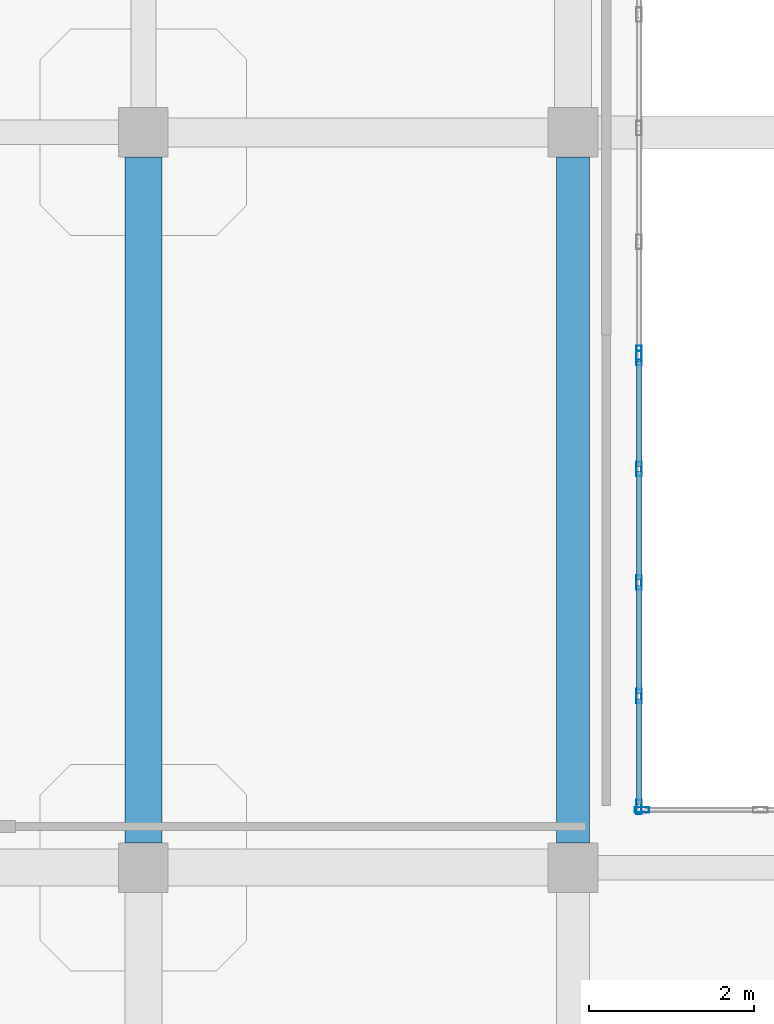
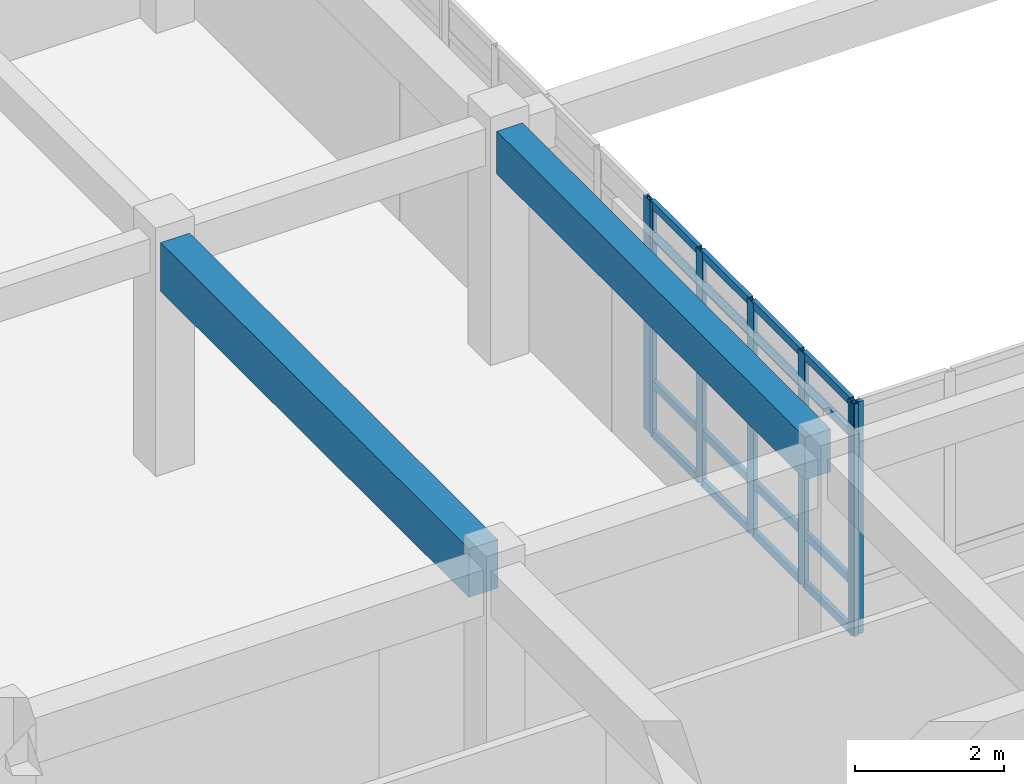
# One storey, part 93 of 146: 23 members, 2 beams, 3 elements without a shape of their own.
"""IFC4 building model written with IfcOpenShell, lengths in metres."""

from ifc_helpers import new_model, si_unit, direction, frame, origin, origin_2d, place, context, subcontext, project, spatial, rectangle, hollow_rectangle, extrude, material, layer, layer_set, material_profile, profile_set, type_object, element, aggregate, save


model = new_model("IFC4")

# Units and contexts
model_context = context("Model", 3, precision=1e-05, world=origin(), true_north=direction((0.0, 1.0)))
body_context = subcontext(model_context, "Body", "Model", "MODEL_VIEW")
ifc_project = project(units=[si_unit("LENGTHUNIT", "METRE"), si_unit("AREAUNIT", "SQUARE_METRE"), si_unit("VOLUMEUNIT", "CUBIC_METRE"), si_unit("PLANEANGLEUNIT", "RADIAN"), si_unit("MASSUNIT", "GRAM", prefix="KILO")], contexts=[model_context])

# Site, building, storey
site_placement = place(None, origin())
site = spatial("IfcSite", under=ifc_project, at=site_placement, CompositionType="ELEMENT")
building_placement = place(site_placement, origin())
building = spatial("IfcBuilding", under=site, at=building_placement, Name="Valcora Specialist Clinic", CompositionType="ELEMENT")
storey_placement = place(building_placement, frame((0.0, 0.0, 9.52001953125)))
storey = spatial("IfcBuildingStorey", under=building, at=storey_placement, Name="L02", CompositionType="ELEMENT", Elevation=9.52001953125)

# Beams
ifc_material_1 = material(Name="Concrete C40/50", Category="concrete")
ifc_material_profile_1 = material_profile(ifc_material_1, rectangle(XDim=0.39990234375, YDim=0.699951171875, at=origin_2d()), Name="RC-BM-400X700")
ifc_profile_set_1 = profile_set([ifc_material_profile_1], Name="Concrete C40/50")
beam_type_1 = type_object("IfcBeamType", Name="TY-BM-RC400X700", PredefinedType="BEAM", material=ifc_profile_set_1)
beam_1_placement = place(storey_placement, frame((111.199951171875, 81.60009765625, 3.469970703125), z_axis=(0.0, 1.0, 0.0), x_axis=(-1.0, 0.0, 0.0)))
element("IfcBeam", 1, at=beam_1_placement, inside=storey, type_object=beam_type_1, Name="Beam BM-L02-0758", PredefinedType="BEAM", context=body_context, shape_type="SweptSolid", body=[
    extrude(rectangle(XDim=0.39990234375, YDim=0.699951171875, at=origin_2d()), origin(), (0.0, 0.0, 1.0), 8.2998046875),
])
ifc_material_profile_2 = material_profile(ifc_material_1, rectangle(XDim=0.449951171875, YDim=0.800048828125, at=origin_2d()), Name="RC-BM-450X800")
ifc_profile_set_2 = profile_set([ifc_material_profile_2], Name="Concrete C40/50")
beam_type_2 = type_object("IfcBeamType", Name="TY-BM-RC450X800", PredefinedType="BEAM", material=ifc_profile_set_2)
beam_2_placement = place(storey_placement, frame((106.0, 81.60009765625, 3.419921875), z_axis=(0.0, 1.0, 0.0), x_axis=(-1.0, 0.0, 0.0)))
element("IfcBeam", 2, at=beam_2_placement, inside=storey, type_object=beam_type_2, Name="Beam BM-L02-0754", PredefinedType="BEAM", context=body_context, shape_type="SweptSolid", body=[
    extrude(rectangle(XDim=0.449951171875, YDim=0.800048828125, at=origin_2d()), origin(), (0.0, 0.0, 1.0), 8.2998046875),
])

# Curtain wall, member
ifc_material_2 = material(Name="Anodized Bronze Aluminium 6063-T6", Category="aluminium")
ifc_layer = layer(ifc_material_2, 0.175048828125)
ifc_layer_set = layer_set([ifc_layer], Name="Anodized Bronze Aluminium 6063-T6")
curtain_wall_type = type_object("IfcCurtainWallType", Name="TY-CW-CRT15", PredefinedType="NOTDEFINED", material=ifc_layer_set)
curtain_wall_1_placement = place(storey_placement, origin())
curtain_wall_1 = element("IfcCurtainWall", 3, at=curtain_wall_1_placement, inside=storey, type_object=curtain_wall_type, Name="Curtain wall CW-L02-105", PredefinedType="NOTDEFINED")
ifc_material_profile_3 = material_profile(ifc_material_2, hollow_rectangle(XDim=0.06494140625, YDim=0.175048828125, WallThickness=0.00390625, at=origin_2d()), Name="AL-MUL-65X175")
ifc_profile_set_3 = profile_set([ifc_material_profile_3], Name="Anodized Bronze Aluminium 6063-T6")
member_type_1 = type_object("IfcMemberType", Name="TY-CWM-65X175", PredefinedType="MULLION", material=ifc_profile_set_3)
member_1_placement = place(storey_placement, frame((112.032470703125, 82.0, 0.0), z_axis=(0.0, 0.0, 1.0), x_axis=(0.0, 1.0, 0.0)))
member_1 = element("IfcMember", 4, at=member_1_placement, type_object=member_type_1, Name="CW-CRT-15 mullion 1", PredefinedType="MULLION", context=body_context, shape_type="SweptSolid", body=[
    extrude(hollow_rectangle(XDim=0.06494140625, YDim=0.175048828125, WallThickness=0.00390625, at=origin_2d()), origin(), (0.0, 0.0, 1.0), 3.820068359375),
])
aggregate(curtain_wall_1, [member_1])

curtain_wall_2_placement = place(storey_placement, origin())
curtain_wall_2 = element("IfcCurtainWall", 5, at=curtain_wall_2_placement, inside=storey, type_object=curtain_wall_type, Name="Curtain wall CW-L02-115", PredefinedType="NOTDEFINED")
member_2_placement = place(storey_placement, frame((112.0, 87.532470703125, 0.0), z_axis=(0.0, 0.0, 1.0), x_axis=(1.0, 0.0, 0.0)))
member_2 = element("IfcMember", 6, at=member_2_placement, type_object=member_type_1, Name="CW-CRT-15 mullion 5", PredefinedType="MULLION", context=body_context, shape_type="SweptSolid", body=[
    extrude(hollow_rectangle(XDim=0.06494140625, YDim=0.175048828125, WallThickness=0.00390625, at=origin_2d()), origin(), (0.0, 0.0, 1.0), 3.820068359375),
])
aggregate(curtain_wall_2, [member_2])

# Curtain wall, members
curtain_wall_3_placement = place(storey_placement, origin())
curtain_wall_3 = element("IfcCurtainWall", 7, at=curtain_wall_3_placement, inside=storey, type_object=curtain_wall_type, Name="Curtain wall CW-L02-116", PredefinedType="NOTDEFINED")
member_3_placement = place(storey_placement, frame((112.0, 87.467529296875, 0.0), z_axis=(0.0, 0.0, 1.0), x_axis=(1.0, 0.0, 0.0)))
member_3 = element("IfcMember", 8, at=member_3_placement, type_object=member_type_1, Name="CW-CRT-15 mullion 1", PredefinedType="MULLION", context=body_context, shape_type="SweptSolid", body=[
    extrude(hollow_rectangle(XDim=0.06494140625, YDim=0.175048828125, WallThickness=0.00390625, at=origin_2d()), origin(), (0.0, 0.0, 1.0), 3.820068359375),
])
member_4_placement = place(storey_placement, frame((112.0, 86.125, 0.0), z_axis=(0.0, 0.0, 1.0), x_axis=(1.0, 0.0, 0.0)))
member_4 = element("IfcMember", 9, at=member_4_placement, type_object=member_type_1, Name="CW-CRT-15 mullion 2", PredefinedType="MULLION", context=body_context, shape_type="SweptSolid", body=[
    extrude(hollow_rectangle(XDim=0.06494140625, YDim=0.175048828125, WallThickness=0.00390625, at=origin_2d()), origin(), (0.0, 0.0, 1.0), 3.820068359375),
])
member_5_placement = place(storey_placement, frame((112.0, 84.75, 0.0), z_axis=(0.0, 0.0, 1.0), x_axis=(1.0, 0.0, 0.0)))
member_5 = element("IfcMember", 10, at=member_5_placement, type_object=member_type_1, Name="CW-CRT-15 mullion 3", PredefinedType="MULLION", context=body_context, shape_type="SweptSolid", body=[
    extrude(hollow_rectangle(XDim=0.06494140625, YDim=0.175048828125, WallThickness=0.00390625, at=origin_2d()), origin(), (0.0, 0.0, 1.0), 3.820068359375),
])
member_6_placement = place(storey_placement, frame((112.0, 83.375, 0.0), z_axis=(0.0, 0.0, 1.0), x_axis=(1.0, 0.0, 0.0)))
member_6 = element("IfcMember", 11, at=member_6_placement, type_object=member_type_1, Name="CW-CRT-15 mullion 4", PredefinedType="MULLION", context=body_context, shape_type="SweptSolid", body=[
    extrude(hollow_rectangle(XDim=0.06494140625, YDim=0.175048828125, WallThickness=0.00390625, at=origin_2d()), origin(), (0.0, 0.0, 1.0), 3.820068359375),
])
member_7_placement = place(storey_placement, frame((112.0, 82.032470703125, 0.0), z_axis=(0.0, 0.0, 1.0), x_axis=(1.0, 0.0, 0.0)))
member_7 = element("IfcMember", 12, at=member_7_placement, type_object=member_type_1, Name="CW-CRT-15 mullion 5", PredefinedType="MULLION", context=body_context, shape_type="SweptSolid", body=[
    extrude(hollow_rectangle(XDim=0.06494140625, YDim=0.175048828125, WallThickness=0.00390625, at=origin_2d()), origin(), (0.0, 0.0, 1.0), 3.820068359375),
])
ifc_material_profile_4 = material_profile(ifc_material_2, hollow_rectangle(XDim=0.06494140625, YDim=0.1298828125, WallThickness=0.00390625, at=origin_2d()), Name="AL-TRN-65X130")
ifc_profile_set_4 = profile_set([ifc_material_profile_4], Name="Anodized Bronze Aluminium 6063-T6")
member_type_2 = type_object("IfcMemberType", Name="TY-CWT-65X130", PredefinedType="USERDEFINED", material=ifc_profile_set_4)
member_8_placement = place(storey_placement, frame((112.0, 87.43505859375, 0.032470703125), z_axis=(0.0, -1.0, 0.0), x_axis=(1.0, 0.0, 0.0)))
member_8 = element("IfcMember", 13, at=member_8_placement, type_object=member_type_2, Name="CW-CRT-15 transom 1.1", ObjectType="TRANSOM", PredefinedType="USERDEFINED", context=body_context, shape_type="SweptSolid", body=[
    extrude(hollow_rectangle(XDim=0.06494140625, YDim=0.1298828125, WallThickness=0.00390625, at=origin_2d()), origin(), (0.0, 0.0, 1.0), 1.277587890625),
])
member_9_placement = place(storey_placement, frame((112.0, 87.43505859375, 0.85009765625), z_axis=(0.0, -1.0, 0.0), x_axis=(1.0, 0.0, 0.0)))
member_9 = element("IfcMember", 14, at=member_9_placement, type_object=member_type_2, Name="CW-CRT-15 transom 1.2", ObjectType="TRANSOM", PredefinedType="USERDEFINED", context=body_context, shape_type="SweptSolid", body=[
    extrude(hollow_rectangle(XDim=0.06494140625, YDim=0.1298828125, WallThickness=0.00390625, at=origin_2d()), origin(), (0.0, 0.0, 1.0), 1.277587890625),
])
member_10_placement = place(storey_placement, frame((112.0, 87.43505859375, 3.27001953125), z_axis=(0.0, -1.0, 0.0), x_axis=(1.0, 0.0, 0.0)))
member_10 = element("IfcMember", 15, at=member_10_placement, type_object=member_type_2, Name="CW-CRT-15 transom 1.3", ObjectType="TRANSOM", PredefinedType="USERDEFINED", context=body_context, shape_type="SweptSolid", body=[
    extrude(hollow_rectangle(XDim=0.06494140625, YDim=0.1298828125, WallThickness=0.00390625, at=origin_2d()), origin(), (0.0, 0.0, 1.0), 1.277587890625),
])
member_11_placement = place(storey_placement, frame((112.0, 87.43505859375, 3.78759765625), z_axis=(0.0, -1.0, 0.0), x_axis=(1.0, 0.0, 0.0)))
member_11 = element("IfcMember", 16, at=member_11_placement, type_object=member_type_2, Name="CW-CRT-15 transom 1.4", ObjectType="TRANSOM", PredefinedType="USERDEFINED", context=body_context, shape_type="SweptSolid", body=[
    extrude(hollow_rectangle(XDim=0.06494140625, YDim=0.1298828125, WallThickness=0.00390625, at=origin_2d()), origin(), (0.0, 0.0, 1.0), 1.277587890625),
])
member_12_placement = place(storey_placement, frame((112.0, 86.092529296875, 0.032470703125), z_axis=(0.0, -1.0, 0.0), x_axis=(1.0, 0.0, 0.0)))
member_12 = element("IfcMember", 17, at=member_12_placement, type_object=member_type_2, Name="CW-CRT-15 transom 2.1", ObjectType="TRANSOM", PredefinedType="USERDEFINED", context=body_context, shape_type="SweptSolid", body=[
    extrude(hollow_rectangle(XDim=0.06494140625, YDim=0.1298828125, WallThickness=0.00390625, at=origin_2d()), origin(), (0.0, 0.0, 1.0), 1.31005859375),
])
member_13_placement = place(storey_placement, frame((112.0, 86.092529296875, 0.85009765625), z_axis=(0.0, -1.0, 0.0), x_axis=(1.0, 0.0, 0.0)))
member_13 = element("IfcMember", 18, at=member_13_placement, type_object=member_type_2, Name="CW-CRT-15 transom 2.2", ObjectType="TRANSOM", PredefinedType="USERDEFINED", context=body_context, shape_type="SweptSolid", body=[
    extrude(hollow_rectangle(XDim=0.06494140625, YDim=0.1298828125, WallThickness=0.00390625, at=origin_2d()), origin(), (0.0, 0.0, 1.0), 1.31005859375),
])
member_14_placement = place(storey_placement, frame((112.0, 86.092529296875, 3.27001953125), z_axis=(0.0, -1.0, 0.0), x_axis=(1.0, 0.0, 0.0)))
member_14 = element("IfcMember", 19, at=member_14_placement, type_object=member_type_2, Name="CW-CRT-15 transom 2.3", ObjectType="TRANSOM", PredefinedType="USERDEFINED", context=body_context, shape_type="SweptSolid", body=[
    extrude(hollow_rectangle(XDim=0.06494140625, YDim=0.1298828125, WallThickness=0.00390625, at=origin_2d()), origin(), (0.0, 0.0, 1.0), 1.31005859375),
])
member_15_placement = place(storey_placement, frame((112.0, 86.092529296875, 3.78759765625), z_axis=(0.0, -1.0, 0.0), x_axis=(1.0, 0.0, 0.0)))
member_15 = element("IfcMember", 20, at=member_15_placement, type_object=member_type_2, Name="CW-CRT-15 transom 2.4", ObjectType="TRANSOM", PredefinedType="USERDEFINED", context=body_context, shape_type="SweptSolid", body=[
    extrude(hollow_rectangle(XDim=0.06494140625, YDim=0.1298828125, WallThickness=0.00390625, at=origin_2d()), origin(), (0.0, 0.0, 1.0), 1.31005859375),
])
member_16_placement = place(storey_placement, frame((112.0, 84.717529296875, 0.032470703125), z_axis=(0.0, -1.0, 0.0), x_axis=(1.0, 0.0, 0.0)))
member_16 = element("IfcMember", 21, at=member_16_placement, type_object=member_type_2, Name="CW-CRT-15 transom 3.1", ObjectType="TRANSOM", PredefinedType="USERDEFINED", context=body_context, shape_type="SweptSolid", body=[
    extrude(hollow_rectangle(XDim=0.06494140625, YDim=0.1298828125, WallThickness=0.00390625, at=origin_2d()), origin(), (0.0, 0.0, 1.0), 1.31005859375),
])
member_17_placement = place(storey_placement, frame((112.0, 84.717529296875, 0.85009765625), z_axis=(0.0, -1.0, 0.0), x_axis=(1.0, 0.0, 0.0)))
member_17 = element("IfcMember", 22, at=member_17_placement, type_object=member_type_2, Name="CW-CRT-15 transom 3.2", ObjectType="TRANSOM", PredefinedType="USERDEFINED", context=body_context, shape_type="SweptSolid", body=[
    extrude(hollow_rectangle(XDim=0.06494140625, YDim=0.1298828125, WallThickness=0.00390625, at=origin_2d()), origin(), (0.0, 0.0, 1.0), 1.31005859375),
])
member_18_placement = place(storey_placement, frame((112.0, 84.717529296875, 3.27001953125), z_axis=(0.0, -1.0, 0.0), x_axis=(1.0, 0.0, 0.0)))
member_18 = element("IfcMember", 23, at=member_18_placement, type_object=member_type_2, Name="CW-CRT-15 transom 3.3", ObjectType="TRANSOM", PredefinedType="USERDEFINED", context=body_context, shape_type="SweptSolid", body=[
    extrude(hollow_rectangle(XDim=0.06494140625, YDim=0.1298828125, WallThickness=0.00390625, at=origin_2d()), origin(), (0.0, 0.0, 1.0), 1.31005859375),
])
member_19_placement = place(storey_placement, frame((112.0, 84.717529296875, 3.78759765625), z_axis=(0.0, -1.0, 0.0), x_axis=(1.0, 0.0, 0.0)))
member_19 = element("IfcMember", 24, at=member_19_placement, type_object=member_type_2, Name="CW-CRT-15 transom 3.4", ObjectType="TRANSOM", PredefinedType="USERDEFINED", context=body_context, shape_type="SweptSolid", body=[
    extrude(hollow_rectangle(XDim=0.06494140625, YDim=0.1298828125, WallThickness=0.00390625, at=origin_2d()), origin(), (0.0, 0.0, 1.0), 1.31005859375),
])
member_20_placement = place(storey_placement, frame((112.0, 83.342529296875, 0.032470703125), z_axis=(0.0, -1.0, 0.0), x_axis=(1.0, 0.0, 0.0)))
member_20 = element("IfcMember", 25, at=member_20_placement, type_object=member_type_2, Name="CW-CRT-15 transom 4.1", ObjectType="TRANSOM", PredefinedType="USERDEFINED", context=body_context, shape_type="SweptSolid", body=[
    extrude(hollow_rectangle(XDim=0.06494140625, YDim=0.1298828125, WallThickness=0.00390625, at=origin_2d()), origin(), (0.0, 0.0, 1.0), 1.277587890625),
])
member_21_placement = place(storey_placement, frame((112.0, 83.342529296875, 0.85009765625), z_axis=(0.0, -1.0, 0.0), x_axis=(1.0, 0.0, 0.0)))
member_21 = element("IfcMember", 26, at=member_21_placement, type_object=member_type_2, Name="CW-CRT-15 transom 4.2", ObjectType="TRANSOM", PredefinedType="USERDEFINED", context=body_context, shape_type="SweptSolid", body=[
    extrude(hollow_rectangle(XDim=0.06494140625, YDim=0.1298828125, WallThickness=0.00390625, at=origin_2d()), origin(), (0.0, 0.0, 1.0), 1.277587890625),
])
member_22_placement = place(storey_placement, frame((112.0, 83.342529296875, 3.27001953125), z_axis=(0.0, -1.0, 0.0), x_axis=(1.0, 0.0, 0.0)))
member_22 = element("IfcMember", 27, at=member_22_placement, type_object=member_type_2, Name="CW-CRT-15 transom 4.3", ObjectType="TRANSOM", PredefinedType="USERDEFINED", context=body_context, shape_type="SweptSolid", body=[
    extrude(hollow_rectangle(XDim=0.06494140625, YDim=0.1298828125, WallThickness=0.00390625, at=origin_2d()), origin(), (0.0, 0.0, 1.0), 1.277587890625),
])
member_23_placement = place(storey_placement, frame((112.0, 83.342529296875, 3.78759765625), z_axis=(0.0, -1.0, 0.0), x_axis=(1.0, 0.0, 0.0)))
member_23 = element("IfcMember", 28, at=member_23_placement, type_object=member_type_2, Name="CW-CRT-15 transom 4.4", ObjectType="TRANSOM", PredefinedType="USERDEFINED", context=body_context, shape_type="SweptSolid", body=[
    extrude(hollow_rectangle(XDim=0.06494140625, YDim=0.1298828125, WallThickness=0.00390625, at=origin_2d()), origin(), (0.0, 0.0, 1.0), 1.277587890625),
])
aggregate(curtain_wall_3, [member_3, member_4, member_5, member_6, member_7, member_8, member_9, member_10, member_11, member_12, member_13, member_14, member_15, member_16, member_17, member_18, member_19, member_20, member_21, member_22, member_23])

save(model, "model.ifc")
